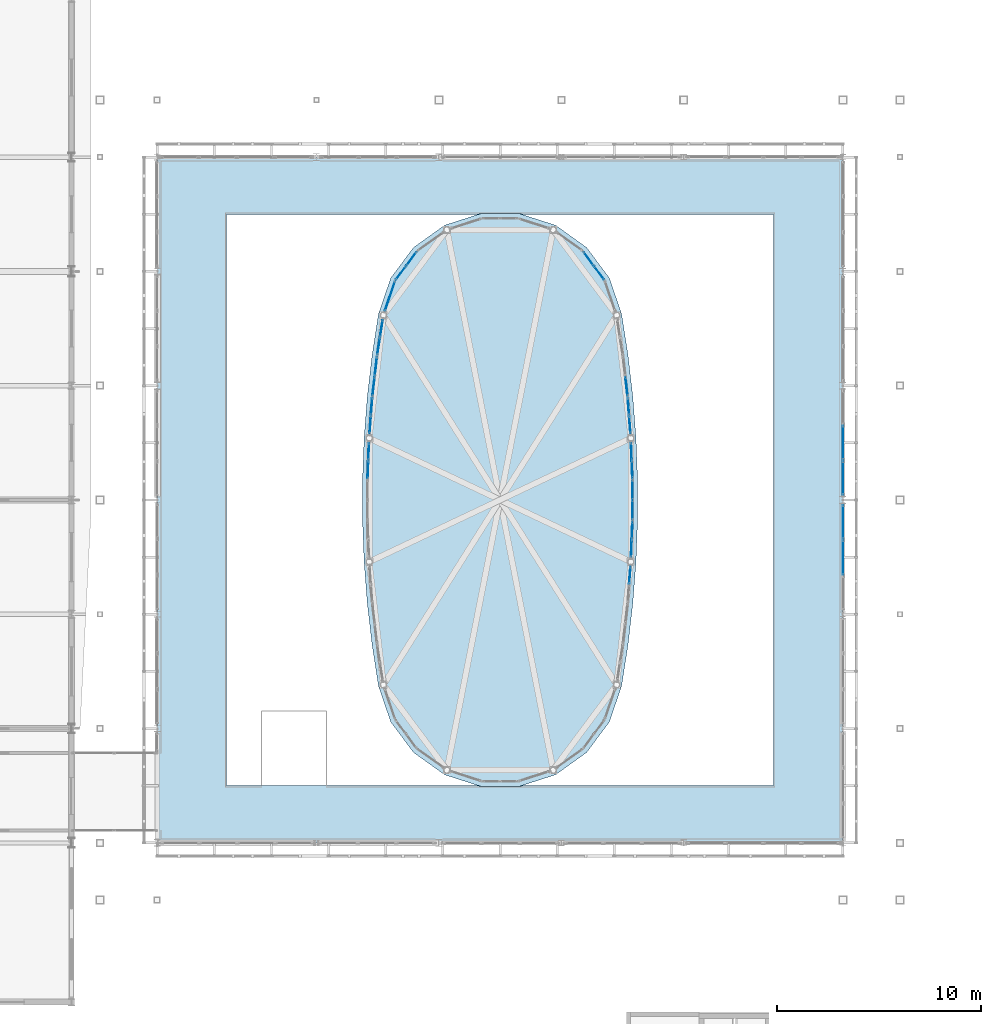
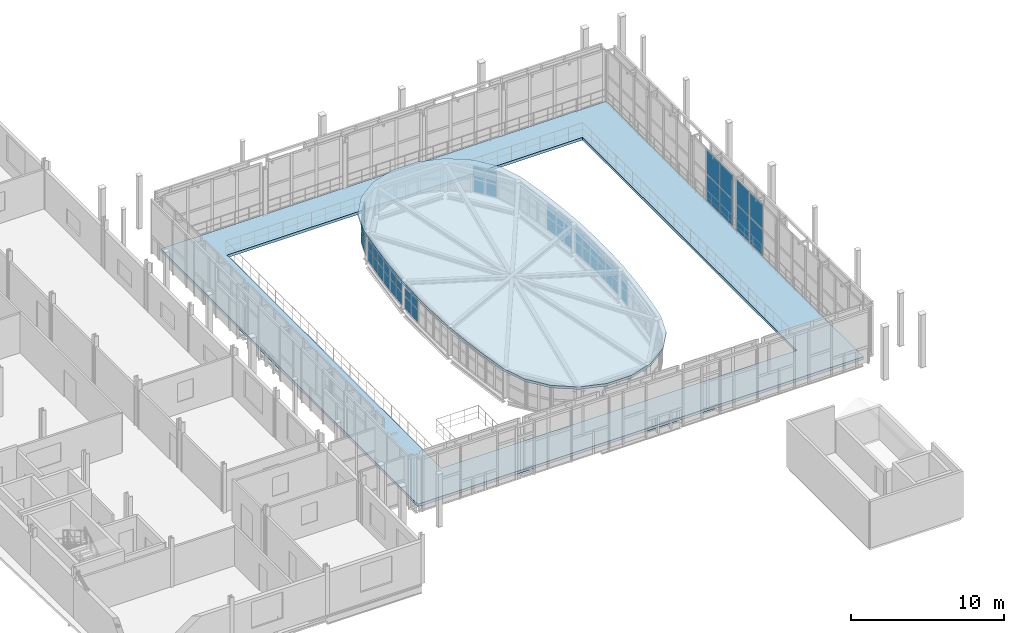
# One storey, part 53 of 78: 54 plates, 2 slabs, 15 elements without a shape of their own.
"""IFC4 building model written with IfcOpenShell, lengths in metres."""

from ifc_helpers import new_model, si_unit, direction, frame, origin, origin_2d, place, context, subcontext, project, spatial, polyline, rectangle, outline, extrude, material, layer, layer_set, type_object, element, aggregate, save


model = new_model("IFC4")

# Units and contexts
model_context = context("Model", 3, precision=1e-05, world=origin(), true_north=direction((0.0, 1.0)))
body_context = subcontext(model_context, "Body", "Model", "MODEL_VIEW")
ifc_project = project(units=[si_unit("LENGTHUNIT", "METRE"), si_unit("AREAUNIT", "SQUARE_METRE"), si_unit("VOLUMEUNIT", "CUBIC_METRE"), si_unit("PLANEANGLEUNIT", "RADIAN"), si_unit("MASSUNIT", "GRAM", prefix="KILO")], contexts=[model_context])

# Site, building, storey
site_placement = place(None, origin())
site = spatial("IfcSite", under=ifc_project, at=site_placement, CompositionType="ELEMENT")
building_placement = place(site_placement, origin())
building = spatial("IfcBuilding", under=site, at=building_placement, Name="Vinh Khe Railworks Police Headquarters", CompositionType="ELEMENT")
storey_placement = place(building_placement, frame((0.0, 0.0, 13.199951171875)))
storey = spatial("IfcBuildingStorey", under=building, at=storey_placement, Name="L03", CompositionType="ELEMENT", Elevation=13.199951171875)

# Slab
ifc_material_1 = material(Name="Concrete C35/45 (B35)", Category="concrete")
ifc_layer_1 = layer(ifc_material_1, 0.199951171875)
ifc_layer_set_1 = layer_set([ifc_layer_1], Name="Concrete C35/45 (B35)")
slab_type_1 = type_object("IfcSlabType", Name="Flat Structural Roof Slab 200", PredefinedType="ROOF", material=ifc_layer_set_1)
slab_1_placement = place(storey_placement, frame((0.0, 0.0, 2.199951171875)))
element("IfcSlab", 1, at=slab_1_placement, inside=storey, type_object=slab_type_1, Name="V2-ROOF Roof Slab (L03)", PredefinedType="ROOF", context=body_context, shape_type="SweptSolid", body=[
    extrude(outline(polyline([(49.15673828125, 32.884033203125), (49.47119140625, 34.908935546875), (49.70556640625, 36.927490234375), (49.862060546875, 38.953369140625), (49.940185546875, 40.98388671875), (49.940185546875, 43.01611328125), (49.862060546875, 45.046630859375), (49.70556640625, 47.072509765625), (49.47119140625, 49.091064453125), (49.15673828125, 51.115966796875), (48.55810546875, 52.87158203125), (47.441162109375, 54.3740234375), (45.918701171875, 55.463623046875), (44.135986328125, 56.03564453125), (42.263916015625, 56.03564453125), (40.481201171875, 55.463623046875), (38.958740234375, 54.3740234375), (37.842041015625, 52.87158203125), (37.2431640625, 51.115966796875), (36.9287109375, 49.091064453125), (36.6943359375, 47.072509765625), (36.5380859375, 45.046630859375), (36.459716796875, 43.01611328125), (36.459716796875, 40.98388671875), (36.5380859375, 38.953369140625), (36.6943359375, 36.927490234375), (36.9287109375, 34.908935546875), (37.2431640625, 32.884033203125), (37.842041015625, 31.12841796875), (38.958740234375, 29.6259765625), (40.481201171875, 28.536376953125), (42.263916015625, 27.96435546875), (44.135986328125, 27.96435546875), (45.918701171875, 28.536376953125), (47.441162109375, 29.6259765625), (48.55810546875, 31.12841796875), (49.15673828125, 32.884033203125)])), origin(), (0.0, 0.0, 1.0), 0.2001953125),
])

# Curtain wall, plates
ifc_material_2 = material(Name="Anodised aluminium and acoustic laminated glass", Category="aluminium")
ifc_layer_2 = layer(ifc_material_2, 0.159912109375)
ifc_layer_set_2 = layer_set([ifc_layer_2], Name="Anodised aluminium and acoustic laminated glass")
curtain_wall_type_1 = type_object("IfcCurtainWallType", Name="CW-DRUM-CHORD", PredefinedType="USERDEFINED", material=ifc_layer_set_2)
curtain_wall_1_placement = place(storey_placement, origin())
curtain_wall_1 = element("IfcCurtainWall", 2, at=curtain_wall_1_placement, inside=storey, type_object=curtain_wall_type_1, Name="Elliptical Command Drum Glazing L03 Chord 3", ObjectType="DRUM FACADE GLAZING", PredefinedType="USERDEFINED")
ifc_material_3 = material(Name="Acoustic laminated solar-control glass", Category="glass")
ifc_layer_3 = layer(ifc_material_3, 0.031982421875)
ifc_layer_set_3 = layer_set([ifc_layer_3], Name="Acoustic laminated solar-control glass")
plate_type_1 = type_object("IfcPlateType", Name="PAN-DRUM-32", PredefinedType="CURTAIN_PANEL", material=ifc_layer_set_3)
plate_1_placement = place(storey_placement, frame((49.561767578125, 38.3115234375, 0.06494140625), z_axis=(0.0, 0.0, 1.0), x_axis=(0.076969059213, 0.997033481847, 0.0)))
plate_1 = element("IfcPlate", 3, at=plate_1_placement, type_object=plate_type_1, Name="CW-02 panel 2.1", PredefinedType="CURTAIN_PANEL", context=body_context, shape_type="SweptSolid", body=[
    extrude(rectangle(XDim=0.82275390625, YDim=0.031982421875, at=origin_2d()), origin(), (0.0, 0.0, 1.0), 0.992431640625),
])
plate_2_placement = place(storey_placement, frame((49.561767578125, 38.3115234375, 1.12255859375), z_axis=(0.0, 0.0, 1.0), x_axis=(0.076969059213, 0.997033481847, 0.0)))
plate_2 = element("IfcPlate", 4, at=plate_2_placement, type_object=plate_type_1, Name="CW-02 panel 2.2", PredefinedType="CURTAIN_PANEL", context=body_context, shape_type="SweptSolid", body=[
    extrude(rectangle(XDim=0.82275390625, YDim=0.031982421875, at=origin_2d()), origin(), (0.0, 0.0, 1.0), 0.992431640625),
])
aggregate(curtain_wall_1, [plate_1, plate_2])

curtain_wall_2_placement = place(storey_placement, origin())
curtain_wall_2 = element("IfcCurtainWall", 5, at=curtain_wall_2_placement, inside=storey, type_object=curtain_wall_type_1, Name="Elliptical Command Drum Glazing L03 Chord 4", ObjectType="DRUM FACADE GLAZING", PredefinedType="USERDEFINED")
plate_3_placement = place(storey_placement, frame((49.6376953125, 39.625732421875, 0.06494140625), z_axis=(0.0, 0.0, 1.0), x_axis=(0.038512625989, 0.999258113622, 0.0)))
plate_3 = element("IfcPlate", 6, at=plate_3_placement, type_object=plate_type_1, Name="CW-02 panel 1.1", PredefinedType="CURTAIN_PANEL", context=body_context, shape_type="SweptSolid", body=[
    extrude(rectangle(XDim=0.82275390625, YDim=0.031982421875, at=origin_2d()), origin(), (0.0, 0.0, 1.0), 0.992431640625),
])
plate_4_placement = place(storey_placement, frame((49.6376953125, 39.625732421875, 1.12255859375), z_axis=(0.0, 0.0, 1.0), x_axis=(0.038512625989, 0.999258113622, 0.0)))
plate_4 = element("IfcPlate", 7, at=plate_4_placement, type_object=plate_type_1, Name="CW-02 panel 1.2", PredefinedType="CURTAIN_PANEL", context=body_context, shape_type="SweptSolid", body=[
    extrude(rectangle(XDim=0.82275390625, YDim=0.031982421875, at=origin_2d()), origin(), (0.0, 0.0, 1.0), 0.992431640625),
])
plate_5_placement = place(storey_placement, frame((49.671875, 40.5126953125, 0.06494140625), z_axis=(0.0, 0.0, 1.0), x_axis=(0.038512625989, 0.999258113622, 0.0)))
plate_5 = element("IfcPlate", 8, at=plate_5_placement, type_object=plate_type_1, Name="CW-02 panel 2.1", PredefinedType="CURTAIN_PANEL", context=body_context, shape_type="SweptSolid", body=[
    extrude(rectangle(XDim=0.82275390625, YDim=0.031982421875, at=origin_2d()), origin(), (0.0, 0.0, 1.0), 0.992431640625),
])
plate_6_placement = place(storey_placement, frame((49.671875, 40.5126953125, 1.12255859375), z_axis=(0.0, 0.0, 1.0), x_axis=(0.038512625989, 0.999258113622, 0.0)))
plate_6 = element("IfcPlate", 9, at=plate_6_placement, type_object=plate_type_1, Name="CW-02 panel 2.2", PredefinedType="CURTAIN_PANEL", context=body_context, shape_type="SweptSolid", body=[
    extrude(rectangle(XDim=0.82275390625, YDim=0.031982421875, at=origin_2d()), origin(), (0.0, 0.0, 1.0), 0.992431640625),
])
aggregate(curtain_wall_2, [plate_3, plate_4, plate_5, plate_6])

curtain_wall_3_placement = place(storey_placement, origin())
curtain_wall_3 = element("IfcCurtainWall", 10, at=curtain_wall_3_placement, inside=storey, type_object=curtain_wall_type_1, Name="Elliptical Command Drum Glazing L03 Chord 5", ObjectType="DRUM FACADE GLAZING", PredefinedType="USERDEFINED")
plate_7_placement = place(storey_placement, frame((49.690185546875, 41.5107421875, 0.06494140625), z_axis=(0.0, 0.0, 1.0), x_axis=(0.0, 1.0, 0.0)))
plate_7 = element("IfcPlate", 11, at=plate_7_placement, type_object=plate_type_1, Name="CW-02 panel 1.1", PredefinedType="CURTAIN_PANEL", context=body_context, shape_type="SweptSolid", body=[
    extrude(rectangle(XDim=0.913818359375, YDim=0.031982421875, at=origin_2d()), origin(), (0.0, 0.0, 1.0), 0.992431640625),
])
plate_8_placement = place(storey_placement, frame((49.690185546875, 41.5107421875, 1.12255859375), z_axis=(0.0, 0.0, 1.0), x_axis=(0.0, 1.0, 0.0)))
plate_8 = element("IfcPlate", 12, at=plate_8_placement, type_object=plate_type_1, Name="CW-02 panel 1.2", PredefinedType="CURTAIN_PANEL", context=body_context, shape_type="SweptSolid", body=[
    extrude(rectangle(XDim=0.913818359375, YDim=0.031982421875, at=origin_2d()), origin(), (0.0, 0.0, 1.0), 0.992431640625),
])
plate_9_placement = place(storey_placement, frame((49.690185546875, 42.4892578125, 0.06494140625), z_axis=(0.0, 0.0, 1.0), x_axis=(0.0, 1.0, 0.0)))
plate_9 = element("IfcPlate", 13, at=plate_9_placement, type_object=plate_type_1, Name="CW-02 panel 2.1", PredefinedType="CURTAIN_PANEL", context=body_context, shape_type="SweptSolid", body=[
    extrude(rectangle(XDim=0.913818359375, YDim=0.031982421875, at=origin_2d()), origin(), (0.0, 0.0, 1.0), 0.992431640625),
])
plate_10_placement = place(storey_placement, frame((49.690185546875, 42.4892578125, 1.12255859375), z_axis=(0.0, 0.0, 1.0), x_axis=(0.0, 1.0, 0.0)))
plate_10 = element("IfcPlate", 14, at=plate_10_placement, type_object=plate_type_1, Name="CW-02 panel 2.2", PredefinedType="CURTAIN_PANEL", context=body_context, shape_type="SweptSolid", body=[
    extrude(rectangle(XDim=0.913818359375, YDim=0.031982421875, at=origin_2d()), origin(), (0.0, 0.0, 1.0), 0.992431640625),
])
aggregate(curtain_wall_3, [plate_7, plate_8, plate_9, plate_10])

curtain_wall_4_placement = place(storey_placement, origin())
curtain_wall_4 = element("IfcCurtainWall", 15, at=curtain_wall_4_placement, inside=storey, type_object=curtain_wall_type_1, Name="Elliptical Command Drum Glazing L03 Chord 6", ObjectType="DRUM FACADE GLAZING", PredefinedType="USERDEFINED")
plate_11_placement = place(storey_placement, frame((49.671875, 43.4873046875, 0.06494140625), z_axis=(0.0, 0.0, 1.0), x_axis=(-0.038512625989, 0.999258113622, 0.0)))
plate_11 = element("IfcPlate", 16, at=plate_11_placement, type_object=plate_type_1, Name="CW-02 panel 1.1", PredefinedType="CURTAIN_PANEL", context=body_context, shape_type="SweptSolid", body=[
    extrude(rectangle(XDim=0.82275390625, YDim=0.031982421875, at=origin_2d()), origin(), (0.0, 0.0, 1.0), 0.992431640625),
])
plate_12_placement = place(storey_placement, frame((49.671875, 43.4873046875, 1.12255859375), z_axis=(0.0, 0.0, 1.0), x_axis=(-0.038512625989, 0.999258113622, 0.0)))
plate_12 = element("IfcPlate", 17, at=plate_12_placement, type_object=plate_type_1, Name="CW-02 panel 1.2", PredefinedType="CURTAIN_PANEL", context=body_context, shape_type="SweptSolid", body=[
    extrude(rectangle(XDim=0.82275390625, YDim=0.031982421875, at=origin_2d()), origin(), (0.0, 0.0, 1.0), 0.992431640625),
])
plate_13_placement = place(storey_placement, frame((49.6376953125, 44.374267578125, 0.06494140625), z_axis=(0.0, 0.0, 1.0), x_axis=(-0.038512625989, 0.999258113622, 0.0)))
plate_13 = element("IfcPlate", 18, at=plate_13_placement, type_object=plate_type_1, Name="CW-02 panel 2.1", PredefinedType="CURTAIN_PANEL", context=body_context, shape_type="SweptSolid", body=[
    extrude(rectangle(XDim=0.82275390625, YDim=0.031982421875, at=origin_2d()), origin(), (0.0, 0.0, 1.0), 0.992431640625),
])
plate_14_placement = place(storey_placement, frame((49.6376953125, 44.374267578125, 1.12255859375), z_axis=(0.0, 0.0, 1.0), x_axis=(-0.038512625989, 0.999258113622, 0.0)))
plate_14 = element("IfcPlate", 19, at=plate_14_placement, type_object=plate_type_1, Name="CW-02 panel 2.2", PredefinedType="CURTAIN_PANEL", context=body_context, shape_type="SweptSolid", body=[
    extrude(rectangle(XDim=0.82275390625, YDim=0.031982421875, at=origin_2d()), origin(), (0.0, 0.0, 1.0), 0.992431640625),
])
aggregate(curtain_wall_4, [plate_11, plate_12, plate_13, plate_14])

curtain_wall_5_placement = place(storey_placement, origin())
curtain_wall_5 = element("IfcCurtainWall", 20, at=curtain_wall_5_placement, inside=storey, type_object=curtain_wall_type_1, Name="Elliptical Command Drum Glazing L03 Chord 7", ObjectType="DRUM FACADE GLAZING", PredefinedType="USERDEFINED")
plate_15_placement = place(storey_placement, frame((49.561767578125, 45.6884765625, 0.06494140625), z_axis=(0.0, 0.0, 1.0), x_axis=(-0.076969059213, 0.997033481847, 0.0)))
plate_15 = element("IfcPlate", 21, at=plate_15_placement, type_object=plate_type_1, Name="CW-02 panel 1.1", PredefinedType="CURTAIN_PANEL", context=body_context, shape_type="SweptSolid", body=[
    extrude(rectangle(XDim=0.82275390625, YDim=0.031982421875, at=origin_2d()), origin(), (0.0, 0.0, 1.0), 0.992431640625),
])
plate_16_placement = place(storey_placement, frame((49.561767578125, 45.6884765625, 1.12255859375), z_axis=(0.0, 0.0, 1.0), x_axis=(-0.076969059213, 0.997033481847, 0.0)))
plate_16 = element("IfcPlate", 22, at=plate_16_placement, type_object=plate_type_1, Name="CW-02 panel 1.2", PredefinedType="CURTAIN_PANEL", context=body_context, shape_type="SweptSolid", body=[
    extrude(rectangle(XDim=0.82275390625, YDim=0.031982421875, at=origin_2d()), origin(), (0.0, 0.0, 1.0), 0.992431640625),
])
plate_17_placement = place(storey_placement, frame((49.493408203125, 46.573486328125, 0.06494140625), z_axis=(0.0, 0.0, 1.0), x_axis=(-0.076969059213, 0.997033481847, 0.0)))
plate_17 = element("IfcPlate", 23, at=plate_17_placement, type_object=plate_type_1, Name="CW-02 panel 2.1", PredefinedType="CURTAIN_PANEL", context=body_context, shape_type="SweptSolid", body=[
    extrude(rectangle(XDim=0.82275390625, YDim=0.031982421875, at=origin_2d()), origin(), (0.0, 0.0, 1.0), 0.992431640625),
])
plate_18_placement = place(storey_placement, frame((49.493408203125, 46.573486328125, 1.12255859375), z_axis=(0.0, 0.0, 1.0), x_axis=(-0.076969059213, 0.997033481847, 0.0)))
plate_18 = element("IfcPlate", 24, at=plate_18_placement, type_object=plate_type_1, Name="CW-02 panel 2.2", PredefinedType="CURTAIN_PANEL", context=body_context, shape_type="SweptSolid", body=[
    extrude(rectangle(XDim=0.82275390625, YDim=0.031982421875, at=origin_2d()), origin(), (0.0, 0.0, 1.0), 0.992431640625),
])
aggregate(curtain_wall_5, [plate_15, plate_16, plate_17, plate_18])

curtain_wall_6_placement = place(storey_placement, origin())
curtain_wall_6 = element("IfcCurtainWall", 25, at=curtain_wall_6_placement, inside=storey, type_object=curtain_wall_type_1, Name="Elliptical Command Drum Glazing L03 Chord 8", ObjectType="DRUM FACADE GLAZING", PredefinedType="USERDEFINED")
plate_19_placement = place(storey_placement, frame((49.396484375, 47.56689453125, 0.06494140625), z_axis=(0.0, 0.0, 1.0), x_axis=(-0.115317737498, 0.993328656296, 0.0)))
plate_19 = element("IfcPlate", 26, at=plate_19_placement, type_object=plate_type_1, Name="CW-02 panel 1.1", PredefinedType="CURTAIN_PANEL", context=body_context, shape_type="SweptSolid", body=[
    extrude(rectangle(XDim=0.913818359375, YDim=0.031982421875, at=origin_2d()), origin(), (0.0, 0.0, 1.0), 0.992431640625),
])
plate_20_placement = place(storey_placement, frame((49.396484375, 47.56689453125, 1.12255859375), z_axis=(0.0, 0.0, 1.0), x_axis=(-0.115317737498, 0.993328656296, 0.0)))
plate_20 = element("IfcPlate", 27, at=plate_20_placement, type_object=plate_type_1, Name="CW-02 panel 1.2", PredefinedType="CURTAIN_PANEL", context=body_context, shape_type="SweptSolid", body=[
    extrude(rectangle(XDim=0.913818359375, YDim=0.031982421875, at=origin_2d()), origin(), (0.0, 0.0, 1.0), 0.992431640625),
])
aggregate(curtain_wall_6, [plate_19, plate_20])

curtain_wall_7_placement = place(storey_placement, origin())
curtain_wall_7 = element("IfcCurtainWall", 28, at=curtain_wall_7_placement, inside=storey, type_object=curtain_wall_type_1, Name="Elliptical Command Drum Glazing L03 Chord 11", ObjectType="DRUM FACADE GLAZING", PredefinedType="USERDEFINED")
plate_21_placement = place(storey_placement, frame((48.056884765625, 53.126708984375, 0.06494140625), z_axis=(0.0, 0.0, 1.0), x_axis=(-0.596528425784, 0.802591949394, 0.0)))
plate_21 = element("IfcPlate", 29, at=plate_21_placement, type_object=plate_type_1, Name="CW-02 panel 1.1", PredefinedType="CURTAIN_PANEL", context=body_context, shape_type="SweptSolid", body=[
    extrude(rectangle(XDim=0.799560546875, YDim=0.031982421875, at=origin_2d()), origin(), (0.0, 0.0, 1.0), 0.992431640625),
])
plate_22_placement = place(storey_placement, frame((48.056884765625, 53.126708984375, 1.12255859375), z_axis=(0.0, 0.0, 1.0), x_axis=(-0.596528425784, 0.802591949394, 0.0)))
plate_22 = element("IfcPlate", 30, at=plate_22_placement, type_object=plate_type_1, Name="CW-02 panel 1.2", PredefinedType="CURTAIN_PANEL", context=body_context, shape_type="SweptSolid", body=[
    extrude(rectangle(XDim=0.799560546875, YDim=0.031982421875, at=origin_2d()), origin(), (0.0, 0.0, 1.0), 0.992431640625),
])
plate_23_placement = place(storey_placement, frame((47.541259765625, 53.820556640625, 0.06494140625), z_axis=(0.0, 0.0, 1.0), x_axis=(-0.596528425784, 0.802591949394, 0.0)))
plate_23 = element("IfcPlate", 31, at=plate_23_placement, type_object=plate_type_1, Name="CW-02 panel 2.1", PredefinedType="CURTAIN_PANEL", context=body_context, shape_type="SweptSolid", body=[
    extrude(rectangle(XDim=0.799560546875, YDim=0.031982421875, at=origin_2d()), origin(), (0.0, 0.0, 1.0), 0.992431640625),
])
plate_24_placement = place(storey_placement, frame((47.541259765625, 53.820556640625, 1.12255859375), z_axis=(0.0, 0.0, 1.0), x_axis=(-0.596528425784, 0.802591949394, 0.0)))
plate_24 = element("IfcPlate", 32, at=plate_24_placement, type_object=plate_type_1, Name="CW-02 panel 2.2", PredefinedType="CURTAIN_PANEL", context=body_context, shape_type="SweptSolid", body=[
    extrude(rectangle(XDim=0.799560546875, YDim=0.031982421875, at=origin_2d()), origin(), (0.0, 0.0, 1.0), 0.992431640625),
])
aggregate(curtain_wall_7, [plate_21, plate_22, plate_23, plate_24])

curtain_wall_8_placement = place(storey_placement, origin())
curtain_wall_8 = element("IfcCurtainWall", 33, at=curtain_wall_8_placement, inside=storey, type_object=curtain_wall_type_1, Name="Elliptical Command Drum Glazing L03 Chord 17", ObjectType="DRUM FACADE GLAZING", PredefinedType="USERDEFINED")
plate_25_placement = place(storey_placement, frame((38.85888671875, 53.820556640625, 0.06494140625), z_axis=(0.0, 0.0, 1.0), x_axis=(-0.596528425784, -0.802591949394, 0.0)))
plate_25 = element("IfcPlate", 34, at=plate_25_placement, type_object=plate_type_1, Name="CW-02 panel 1.1", PredefinedType="CURTAIN_PANEL", context=body_context, shape_type="SweptSolid", body=[
    extrude(rectangle(XDim=0.799560546875, YDim=0.031982421875, at=origin_2d()), origin(), (0.0, 0.0, 1.0), 0.992431640625),
])
plate_26_placement = place(storey_placement, frame((38.85888671875, 53.820556640625, 1.12255859375), z_axis=(0.0, 0.0, 1.0), x_axis=(-0.596528425784, -0.802591949394, 0.0)))
plate_26 = element("IfcPlate", 35, at=plate_26_placement, type_object=plate_type_1, Name="CW-02 panel 1.2", PredefinedType="CURTAIN_PANEL", context=body_context, shape_type="SweptSolid", body=[
    extrude(rectangle(XDim=0.799560546875, YDim=0.031982421875, at=origin_2d()), origin(), (0.0, 0.0, 1.0), 0.992431640625),
])
plate_27_placement = place(storey_placement, frame((38.34326171875, 53.126708984375, 0.06494140625), z_axis=(0.0, 0.0, 1.0), x_axis=(-0.596528425784, -0.802591949394, 0.0)))
plate_27 = element("IfcPlate", 36, at=plate_27_placement, type_object=plate_type_1, Name="CW-02 panel 2.1", PredefinedType="CURTAIN_PANEL", context=body_context, shape_type="SweptSolid", body=[
    extrude(rectangle(XDim=0.799560546875, YDim=0.031982421875, at=origin_2d()), origin(), (0.0, 0.0, 1.0), 0.992431640625),
])
plate_28_placement = place(storey_placement, frame((38.34326171875, 53.126708984375, 1.12255859375), z_axis=(0.0, 0.0, 1.0), x_axis=(-0.596528425784, -0.802591949394, 0.0)))
plate_28 = element("IfcPlate", 37, at=plate_28_placement, type_object=plate_type_1, Name="CW-02 panel 2.2", PredefinedType="CURTAIN_PANEL", context=body_context, shape_type="SweptSolid", body=[
    extrude(rectangle(XDim=0.799560546875, YDim=0.031982421875, at=origin_2d()), origin(), (0.0, 0.0, 1.0), 0.992431640625),
])
aggregate(curtain_wall_8, [plate_25, plate_26, plate_27, plate_28])

curtain_wall_9_placement = place(storey_placement, origin())
curtain_wall_9 = element("IfcCurtainWall", 38, at=curtain_wall_9_placement, inside=storey, type_object=curtain_wall_type_1, Name="Elliptical Command Drum Glazing L03 Chord 18", ObjectType="DRUM FACADE GLAZING", PredefinedType="USERDEFINED")
plate_29_placement = place(storey_placement, frame((37.805908203125, 51.990966796875, 0.06494140625), z_axis=(0.0, 0.0, 1.0), x_axis=(-0.322748955701, -0.946484607162, 0.0)))
plate_29 = element("IfcPlate", 39, at=plate_29_placement, type_object=plate_type_1, Name="CW-02 panel 1.1", PredefinedType="CURTAIN_PANEL", context=body_context, shape_type="SweptSolid", body=[
    extrude(rectangle(XDim=1.48193359375, YDim=0.031982421875, at=origin_2d()), origin(), (0.0, 0.0, 1.0), 0.992431640625),
])
plate_30_placement = place(storey_placement, frame((37.805908203125, 51.990966796875, 1.12255859375), z_axis=(0.0, 0.0, 1.0), x_axis=(-0.322748955701, -0.946484607162, 0.0)))
plate_30 = element("IfcPlate", 40, at=plate_30_placement, type_object=plate_type_1, Name="CW-02 panel 1.2", PredefinedType="CURTAIN_PANEL", context=body_context, shape_type="SweptSolid", body=[
    extrude(rectangle(XDim=1.48193359375, YDim=0.031982421875, at=origin_2d()), origin(), (0.0, 0.0, 1.0), 0.992431640625),
])
aggregate(curtain_wall_9, [plate_29, plate_30])

curtain_wall_10_placement = place(storey_placement, origin())
curtain_wall_10 = element("IfcCurtainWall", 41, at=curtain_wall_10_placement, inside=storey, type_object=curtain_wall_type_1, Name="Elliptical Command Drum Glazing L03 Chord 19", ObjectType="DRUM FACADE GLAZING", PredefinedType="USERDEFINED")
plate_31_placement = place(storey_placement, frame((37.385986328125, 50.4052734375, 0.06494140625), z_axis=(0.0, 0.0, 1.0), x_axis=(-0.153488905684, -0.988150371063, 0.0)))
plate_31 = element("IfcPlate", 42, at=plate_31_placement, type_object=plate_type_1, Name="CW-02 panel 1.1", PredefinedType="CURTAIN_PANEL", context=body_context, shape_type="SweptSolid", body=[
    extrude(rectangle(XDim=0.82275390625, YDim=0.031982421875, at=origin_2d()), origin(), (0.0, 0.0, 1.0), 0.992431640625),
])
plate_32_placement = place(storey_placement, frame((37.385986328125, 50.4052734375, 1.12255859375), z_axis=(0.0, 0.0, 1.0), x_axis=(-0.153488905684, -0.988150371063, 0.0)))
plate_32 = element("IfcPlate", 43, at=plate_32_placement, type_object=plate_type_1, Name="CW-02 panel 1.2", PredefinedType="CURTAIN_PANEL", context=body_context, shape_type="SweptSolid", body=[
    extrude(rectangle(XDim=0.82275390625, YDim=0.031982421875, at=origin_2d()), origin(), (0.0, 0.0, 1.0), 0.992431640625),
])
plate_33_placement = place(storey_placement, frame((37.249755859375, 49.528076171875, 0.06494140625), z_axis=(0.0, 0.0, 1.0), x_axis=(-0.153488905684, -0.988150371063, 0.0)))
plate_33 = element("IfcPlate", 44, at=plate_33_placement, type_object=plate_type_1, Name="CW-02 panel 2.1", PredefinedType="CURTAIN_PANEL", context=body_context, shape_type="SweptSolid", body=[
    extrude(rectangle(XDim=0.82275390625, YDim=0.031982421875, at=origin_2d()), origin(), (0.0, 0.0, 1.0), 0.992431640625),
])
plate_34_placement = place(storey_placement, frame((37.249755859375, 49.528076171875, 1.12255859375), z_axis=(0.0, 0.0, 1.0), x_axis=(-0.153488905684, -0.988150371063, 0.0)))
plate_34 = element("IfcPlate", 45, at=plate_34_placement, type_object=plate_type_1, Name="CW-02 panel 2.2", PredefinedType="CURTAIN_PANEL", context=body_context, shape_type="SweptSolid", body=[
    extrude(rectangle(XDim=0.82275390625, YDim=0.031982421875, at=origin_2d()), origin(), (0.0, 0.0, 1.0), 0.992431640625),
])
aggregate(curtain_wall_10, [plate_31, plate_32, plate_33, plate_34])

curtain_wall_11_placement = place(storey_placement, origin())
curtain_wall_11 = element("IfcCurtainWall", 46, at=curtain_wall_11_placement, inside=storey, type_object=curtain_wall_type_1, Name="Elliptical Command Drum Glazing L03 Chord 20", ObjectType="DRUM FACADE GLAZING", PredefinedType="USERDEFINED")
plate_35_placement = place(storey_placement, frame((37.116455078125, 48.5390625, 0.06494140625), z_axis=(0.0, 0.0, 1.0), x_axis=(-0.115317737498, -0.993328656296, 0.0)))
plate_35 = element("IfcPlate", 47, at=plate_35_placement, type_object=plate_type_1, Name="CW-02 panel 1.1", PredefinedType="CURTAIN_PANEL", context=body_context, shape_type="SweptSolid", body=[
    extrude(rectangle(XDim=0.913818359375, YDim=0.031982421875, at=origin_2d()), origin(), (0.0, 0.0, 1.0), 0.992431640625),
])
plate_36_placement = place(storey_placement, frame((37.116455078125, 48.5390625, 1.12255859375), z_axis=(0.0, 0.0, 1.0), x_axis=(-0.115317737498, -0.993328656296, 0.0)))
plate_36 = element("IfcPlate", 48, at=plate_36_placement, type_object=plate_type_1, Name="CW-02 panel 1.2", PredefinedType="CURTAIN_PANEL", context=body_context, shape_type="SweptSolid", body=[
    extrude(rectangle(XDim=0.913818359375, YDim=0.031982421875, at=origin_2d()), origin(), (0.0, 0.0, 1.0), 0.992431640625),
])
plate_37_placement = place(storey_placement, frame((37.00341796875, 47.56689453125, 0.06494140625), z_axis=(0.0, 0.0, 1.0), x_axis=(-0.115317737498, -0.993328656296, 0.0)))
plate_37 = element("IfcPlate", 49, at=plate_37_placement, type_object=plate_type_1, Name="CW-02 panel 2.1", PredefinedType="CURTAIN_PANEL", context=body_context, shape_type="SweptSolid", body=[
    extrude(rectangle(XDim=0.913818359375, YDim=0.031982421875, at=origin_2d()), origin(), (0.0, 0.0, 1.0), 0.992431640625),
])
plate_38_placement = place(storey_placement, frame((37.00341796875, 47.56689453125, 1.12255859375), z_axis=(0.0, 0.0, 1.0), x_axis=(-0.115317737498, -0.993328656296, 0.0)))
plate_38 = element("IfcPlate", 50, at=plate_38_placement, type_object=plate_type_1, Name="CW-02 panel 2.2", PredefinedType="CURTAIN_PANEL", context=body_context, shape_type="SweptSolid", body=[
    extrude(rectangle(XDim=0.913818359375, YDim=0.031982421875, at=origin_2d()), origin(), (0.0, 0.0, 1.0), 0.992431640625),
])
aggregate(curtain_wall_11, [plate_35, plate_36, plate_37, plate_38])

curtain_wall_12_placement = place(storey_placement, origin())
curtain_wall_12 = element("IfcCurtainWall", 51, at=curtain_wall_12_placement, inside=storey, type_object=curtain_wall_type_1, Name="Elliptical Command Drum Glazing L03 Chord 21", ObjectType="DRUM FACADE GLAZING", PredefinedType="USERDEFINED")
plate_39_placement = place(storey_placement, frame((36.90673828125, 46.573486328125, 0.06494140625), z_axis=(0.0, 0.0, 1.0), x_axis=(-0.076969059213, -0.997033481847, 0.0)))
plate_39 = element("IfcPlate", 52, at=plate_39_placement, type_object=plate_type_1, Name="CW-02 panel 1.1", PredefinedType="CURTAIN_PANEL", context=body_context, shape_type="SweptSolid", body=[
    extrude(rectangle(XDim=0.82275390625, YDim=0.031982421875, at=origin_2d()), origin(), (0.0, 0.0, 1.0), 0.992431640625),
])
plate_40_placement = place(storey_placement, frame((36.90673828125, 46.573486328125, 1.12255859375), z_axis=(0.0, 0.0, 1.0), x_axis=(-0.076969059213, -0.997033481847, 0.0)))
plate_40 = element("IfcPlate", 53, at=plate_40_placement, type_object=plate_type_1, Name="CW-02 panel 1.2", PredefinedType="CURTAIN_PANEL", context=body_context, shape_type="SweptSolid", body=[
    extrude(rectangle(XDim=0.82275390625, YDim=0.031982421875, at=origin_2d()), origin(), (0.0, 0.0, 1.0), 0.992431640625),
])
plate_41_placement = place(storey_placement, frame((36.83837890625, 45.6884765625, 0.06494140625), z_axis=(0.0, 0.0, 1.0), x_axis=(-0.076969059213, -0.997033481847, 0.0)))
plate_41 = element("IfcPlate", 54, at=plate_41_placement, type_object=plate_type_1, Name="CW-02 panel 2.1", PredefinedType="CURTAIN_PANEL", context=body_context, shape_type="SweptSolid", body=[
    extrude(rectangle(XDim=0.82275390625, YDim=0.031982421875, at=origin_2d()), origin(), (0.0, 0.0, 1.0), 0.992431640625),
])
plate_42_placement = place(storey_placement, frame((36.83837890625, 45.6884765625, 1.12255859375), z_axis=(0.0, 0.0, 1.0), x_axis=(-0.076969059213, -0.997033481847, 0.0)))
plate_42 = element("IfcPlate", 55, at=plate_42_placement, type_object=plate_type_1, Name="CW-02 panel 2.2", PredefinedType="CURTAIN_PANEL", context=body_context, shape_type="SweptSolid", body=[
    extrude(rectangle(XDim=0.82275390625, YDim=0.031982421875, at=origin_2d()), origin(), (0.0, 0.0, 1.0), 0.992431640625),
])
aggregate(curtain_wall_12, [plate_39, plate_40, plate_41, plate_42])

curtain_wall_13_placement = place(storey_placement, origin())
curtain_wall_13 = element("IfcCurtainWall", 56, at=curtain_wall_13_placement, inside=storey, type_object=curtain_wall_type_1, Name="Elliptical Command Drum Glazing L03 Chord 22", ObjectType="DRUM FACADE GLAZING", PredefinedType="USERDEFINED")
plate_43_placement = place(storey_placement, frame((36.76220703125, 44.374267578125, 0.06494140625), z_axis=(0.0, 0.0, 1.0), x_axis=(-0.038512625989, -0.999258113622, 0.0)))
plate_43 = element("IfcPlate", 57, at=plate_43_placement, type_object=plate_type_1, Name="CW-02 panel 1.1", PredefinedType="CURTAIN_PANEL", context=body_context, shape_type="SweptSolid", body=[
    extrude(rectangle(XDim=0.82275390625, YDim=0.031982421875, at=origin_2d()), origin(), (0.0, 0.0, 1.0), 0.992431640625),
])
plate_44_placement = place(storey_placement, frame((36.76220703125, 44.374267578125, 1.12255859375), z_axis=(0.0, 0.0, 1.0), x_axis=(-0.038512625989, -0.999258113622, 0.0)))
plate_44 = element("IfcPlate", 58, at=plate_44_placement, type_object=plate_type_1, Name="CW-02 panel 1.2", PredefinedType="CURTAIN_PANEL", context=body_context, shape_type="SweptSolid", body=[
    extrude(rectangle(XDim=0.82275390625, YDim=0.031982421875, at=origin_2d()), origin(), (0.0, 0.0, 1.0), 0.992431640625),
])
plate_45_placement = place(storey_placement, frame((36.72802734375, 43.4873046875, 0.06494140625), z_axis=(0.0, 0.0, 1.0), x_axis=(-0.038512625989, -0.999258113622, 0.0)))
plate_45 = element("IfcPlate", 59, at=plate_45_placement, type_object=plate_type_1, Name="CW-02 panel 2.1", PredefinedType="CURTAIN_PANEL", context=body_context, shape_type="SweptSolid", body=[
    extrude(rectangle(XDim=0.82275390625, YDim=0.031982421875, at=origin_2d()), origin(), (0.0, 0.0, 1.0), 0.992431640625),
])
plate_46_placement = place(storey_placement, frame((36.72802734375, 43.4873046875, 1.12255859375), z_axis=(0.0, 0.0, 1.0), x_axis=(-0.038512625989, -0.999258113622, 0.0)))
plate_46 = element("IfcPlate", 60, at=plate_46_placement, type_object=plate_type_1, Name="CW-02 panel 2.2", PredefinedType="CURTAIN_PANEL", context=body_context, shape_type="SweptSolid", body=[
    extrude(rectangle(XDim=0.82275390625, YDim=0.031982421875, at=origin_2d()), origin(), (0.0, 0.0, 1.0), 0.992431640625),
])
aggregate(curtain_wall_13, [plate_43, plate_44, plate_45, plate_46])

ifc_material_4 = material(Name="Anodised aluminium and low-iron glass", Category="aluminium")
ifc_layer_4 = layer(ifc_material_4, 0.179931640625)
ifc_layer_set_4 = layer_set([ifc_layer_4], Name="Anodised aluminium and low-iron glass")
curtain_wall_type_2 = type_object("IfcCurtainWallType", Name="CW-CUBE-UNIT", PredefinedType="USERDEFINED", material=ifc_layer_set_4)
curtain_wall_14_placement = place(storey_placement, origin())
curtain_wall_14 = element("IfcCurtainWall", 61, at=curtain_wall_14_placement, inside=storey, type_object=curtain_wall_type_2, Name="Entrance Hall Curtain Wall L03 E-3", ObjectType="UNITISED GLAZING", PredefinedType="USERDEFINED")
ifc_material_5 = material(Name="Low-iron laminated solar-control glass", Category="glass")
ifc_layer_5 = layer(ifc_material_5, 0.028076171875)
ifc_layer_set_5 = layer_set([ifc_layer_5], Name="Low-iron laminated solar-control glass")
plate_type_2 = type_object("IfcPlateType", Name="PAN-GLZ-28", PredefinedType="CURTAIN_PANEL", material=ifc_layer_set_5)
plate_47_placement = place(storey_placement, frame((60.0, 39.172607421875, 0.070068359375), z_axis=(0.0, 0.0, 1.0), x_axis=(0.0, 1.0, 0.0)))
plate_47 = element("IfcPlate", 62, at=plate_47_placement, type_object=plate_type_2, Name="CW-01 panel 2.1", PredefinedType="CURTAIN_PANEL", context=body_context, shape_type="SweptSolid", body=[
    extrude(rectangle(XDim=1.68505859375, YDim=0.028076171875, at=origin_2d()), origin(), (0.0, 0.0, 1.0), 2.0791015625),
])
plate_48_placement = place(storey_placement, frame((60.0, 39.172607421875, 2.21923828125), z_axis=(0.0, 0.0, 1.0), x_axis=(0.0, 1.0, 0.0)))
plate_48 = element("IfcPlate", 63, at=plate_48_placement, type_object=plate_type_2, Name="CW-01 panel 2.2", PredefinedType="CURTAIN_PANEL", context=body_context, shape_type="SweptSolid", body=[
    extrude(rectangle(XDim=1.68505859375, YDim=0.028076171875, at=origin_2d()), origin(), (0.0, 0.0, 1.0), 1.910888671875),
])
plate_49_placement = place(storey_placement, frame((60.0, 40.909912109375, 0.070068359375), z_axis=(0.0, 0.0, 1.0), x_axis=(0.0, 1.0, 0.0)))
plate_49 = element("IfcPlate", 64, at=plate_49_placement, type_object=plate_type_2, Name="CW-01 panel 3.1", PredefinedType="CURTAIN_PANEL", context=body_context, shape_type="SweptSolid", body=[
    extrude(rectangle(XDim=1.64990234375, YDim=0.028076171875, at=origin_2d()), origin(), (0.0, 0.0, 1.0), 2.0791015625),
])
plate_50_placement = place(storey_placement, frame((60.0, 40.909912109375, 2.21923828125), z_axis=(0.0, 0.0, 1.0), x_axis=(0.0, 1.0, 0.0)))
plate_50 = element("IfcPlate", 65, at=plate_50_placement, type_object=plate_type_2, Name="CW-01 panel 3.2", PredefinedType="CURTAIN_PANEL", context=body_context, shape_type="SweptSolid", body=[
    extrude(rectangle(XDim=1.64990234375, YDim=0.028076171875, at=origin_2d()), origin(), (0.0, 0.0, 1.0), 1.910888671875),
])
aggregate(curtain_wall_14, [plate_47, plate_48, plate_49, plate_50])

curtain_wall_15_placement = place(storey_placement, origin())
curtain_wall_15 = element("IfcCurtainWall", 66, at=curtain_wall_15_placement, inside=storey, type_object=curtain_wall_type_2, Name="Entrance Hall Curtain Wall L03 E-4", ObjectType="UNITISED GLAZING", PredefinedType="USERDEFINED")
plate_51_placement = place(storey_placement, frame((60.0, 43.08251953125, 0.070068359375), z_axis=(0.0, 0.0, 1.0), x_axis=(0.0, 1.0, 0.0)))
plate_51 = element("IfcPlate", 67, at=plate_51_placement, type_object=plate_type_2, Name="CW-01 panel 1.1", PredefinedType="CURTAIN_PANEL", context=body_context, shape_type="SweptSolid", body=[
    extrude(rectangle(XDim=1.635009765625, YDim=0.028076171875, at=origin_2d()), origin(), (0.0, 0.0, 1.0), 2.0791015625),
])
plate_52_placement = place(storey_placement, frame((60.0, 43.08251953125, 2.21923828125), z_axis=(0.0, 0.0, 1.0), x_axis=(0.0, 1.0, 0.0)))
plate_52 = element("IfcPlate", 68, at=plate_52_placement, type_object=plate_type_2, Name="CW-01 panel 1.2", PredefinedType="CURTAIN_PANEL", context=body_context, shape_type="SweptSolid", body=[
    extrude(rectangle(XDim=1.635009765625, YDim=0.028076171875, at=origin_2d()), origin(), (0.0, 0.0, 1.0), 1.910888671875),
])
plate_53_placement = place(storey_placement, frame((60.0, 44.804931640625, 0.070068359375), z_axis=(0.0, 0.0, 1.0), x_axis=(0.0, 1.0, 0.0)))
plate_53 = element("IfcPlate", 69, at=plate_53_placement, type_object=plate_type_2, Name="CW-01 panel 2.1", PredefinedType="CURTAIN_PANEL", context=body_context, shape_type="SweptSolid", body=[
    extrude(rectangle(XDim=1.669921875, YDim=0.028076171875, at=origin_2d()), origin(), (0.0, 0.0, 1.0), 2.0791015625),
])
plate_54_placement = place(storey_placement, frame((60.0, 44.804931640625, 2.21923828125), z_axis=(0.0, 0.0, 1.0), x_axis=(0.0, 1.0, 0.0)))
plate_54 = element("IfcPlate", 70, at=plate_54_placement, type_object=plate_type_2, Name="CW-01 panel 2.2", PredefinedType="CURTAIN_PANEL", context=body_context, shape_type="SweptSolid", body=[
    extrude(rectangle(XDim=1.669921875, YDim=0.028076171875, at=origin_2d()), origin(), (0.0, 0.0, 1.0), 1.910888671875),
])
aggregate(curtain_wall_15, [plate_51, plate_52, plate_53, plate_54])

# Slab
ifc_layer_6 = layer(ifc_material_1, 0.219970703125)
ifc_layer_set_6 = layer_set([ifc_layer_6], Name="Concrete C35/45 (B35)")
slab_type_2 = type_object("IfcSlabType", Name="Suspended Floor Slab 220", PredefinedType="FLOOR", material=ifc_layer_set_6)
slab_2_placement = place(storey_placement, frame((0.0, 0.0, -0.219970703125)))
element("IfcSlab", 71, at=slab_2_placement, inside=storey, type_object=slab_type_2, Name="V1 Floor Slab (L03)", PredefinedType="FLOOR", context=body_context, shape_type="SweptSolid", body=[
    extrude(outline(polyline([(26.39990234375, 25.199951171875), (60.0, 25.199951171875), (60.0, 58.800048828125), (26.39990234375, 58.800048828125), (26.39990234375, 25.199951171875)]), holes=[polyline([(29.800048828125, 28.0), (56.60009765625, 28.0), (56.60009765625, 56.0), (29.800048828125, 56.0), (29.800048828125, 28.0)])]), origin(), (0.0, 0.0, 1.0), 0.219970703125),
])

save(model, "model.ifc")
